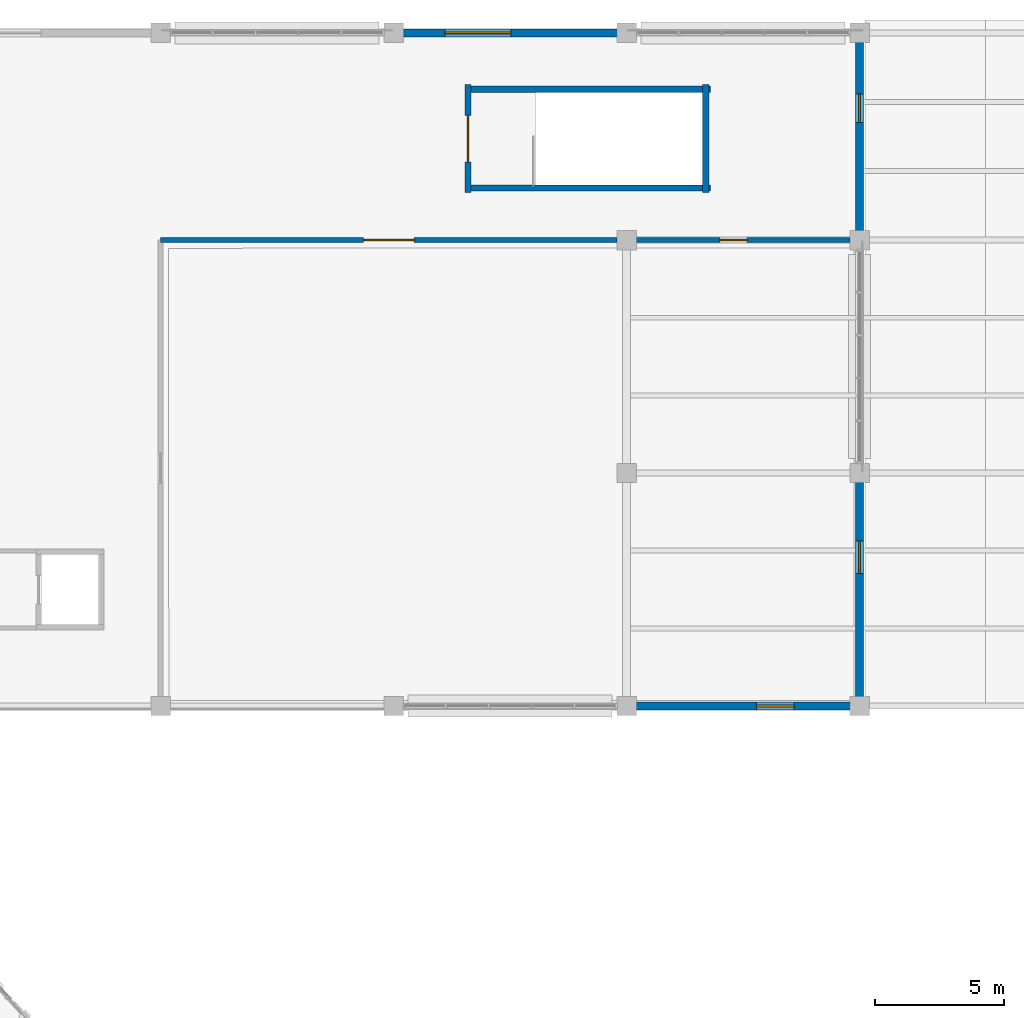
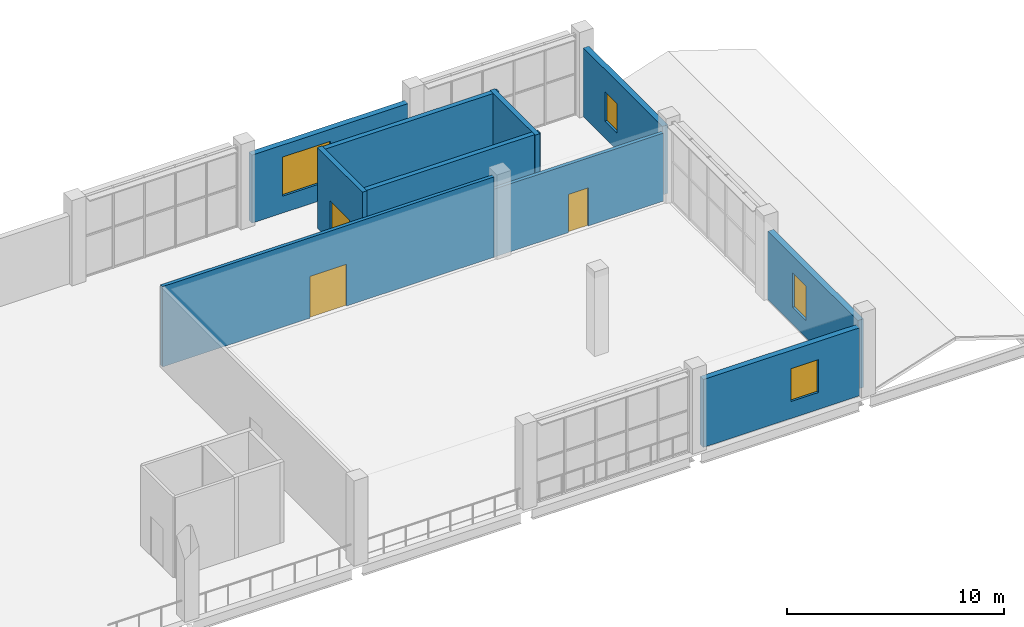
# One storey, part 102 of 152: 10 walls, 4 windows, 3 doors, 7 openings.
"""IFC4 building model written with IfcOpenShell, lengths in metres."""

from ifc_helpers import new_model, si_unit, direction, frame, frame_2d, origin, place, context, subcontext, project, spatial, rectangle, extrude, material, layer, layer_set, type_object, element, fill, save


model = new_model("IFC4")

# Units and contexts
model_context = context("Model", 3, precision=1e-05, world=origin(), true_north=direction((0.0, 1.0)))
body_context = subcontext(model_context, "Body", "Model", "MODEL_VIEW")
ifc_project = project(units=[si_unit("LENGTHUNIT", "METRE"), si_unit("AREAUNIT", "SQUARE_METRE"), si_unit("VOLUMEUNIT", "CUBIC_METRE"), si_unit("PLANEANGLEUNIT", "RADIAN"), si_unit("MASSUNIT", "GRAM", prefix="KILO")], contexts=[model_context])

# Site, building, storey
site_placement = place(None, origin())
site = spatial("IfcSite", under=ifc_project, at=site_placement, CompositionType="ELEMENT")
building_placement = place(site_placement, origin())
building = spatial("IfcBuilding", under=site, at=building_placement, Name="Zevraka Park Crest Stadium", CompositionType="ELEMENT")
storey_placement = place(building_placement, frame((0.0, 0.0, 15.0)))
storey = spatial("IfcBuildingStorey", under=building, at=storey_placement, Name="L03", CompositionType="ELEMENT", Elevation=15.0)

# Wall, opening, window
ifc_material_1 = material(Name="Limestone and red clay brick masonry", Category="masonry")
ifc_layer_1 = layer(ifc_material_1, 0.300048828125)
ifc_layer_set_1 = layer_set([ifc_layer_1], Name="Limestone and red clay brick masonry")
wall_type_1 = type_object("IfcWallType", Name="EW02", PredefinedType="STANDARD", material=ifc_layer_set_1)
wall_1_placement = place(storey_placement, frame((197.35009765625, 184.0, 0.0), z_axis=(0.0, 0.0, 1.0), x_axis=(1.0, 0.0, 0.0)))
wall_1 = element("IfcWall", 1, at=wall_1_placement, inside=storey, type_object=wall_type_1, Name="Wing External Cavity Wall EW02 L03-NGATE-N3-5", PredefinedType="STANDARD", context=body_context, shape_type="SweptSolid", body=[
    extrude(rectangle(XDim=8.2998046875, YDim=0.300048828125, at=frame_2d((4.14990234375, 0.0))), origin(), (0.0, 0.0, 1.0), 3.823486328125),
])
opening_1_placement = place(wall_1_placement, frame((1.6298828125, 0.0, 0.949951171875)))
opening_1 = element("IfcOpeningElement", 2, at=opening_1_placement, cuts=wall_1, Name="Opening WN12", PredefinedType="OPENING", context=body_context, shape_type="SweptSolid", body=[
    extrude(rectangle(XDim=2.550048828125, YDim=2.199951171875, at=frame_2d((1.27490234375, 1.10009765625))), frame((0.0, 0.159912109375, 0.0), z_axis=(0.0, -1.0, 0.0), x_axis=(1.0, 0.0, 0.0)), (0.0, 0.0, 1.0), 0.320068359375),
])
ifc_material_2 = material(Name="Solar-control laminated double glazing in aluminium frame", Category="aluminium")
window_type_1 = type_object("IfcWindowType", Name="WN12", PartitioningType="SINGLE_PANEL", PredefinedType="WINDOW", material=ifc_material_2)
window_1_placement = place(opening_1_placement, origin())
window_1 = element("IfcWindow", 3, at=window_1_placement, inside=storey, type_object=window_type_1, Name="Facade Casement Window WN12 W-L03-012", OverallHeight=2.199951171875, OverallWidth=2.550048828125, PartitioningType="SINGLE_PANEL", PredefinedType="WINDOW", context=body_context, shape_type="SweptSolid", body=[
    extrude(rectangle(XDim=2.550048828125, YDim=2.199951171875, at=frame_2d((1.27490234375, 1.10009765625))), frame((0.0, 0.030029296875, 0.0), z_axis=(0.0, -1.0, 0.0), x_axis=(1.0, 0.0, 0.0)), (0.0, 0.0, 1.0), 0.06005859375),
])
fill(opening_1, window_1)

wall_2_placement = place(storey_placement, frame((215.0, 183.64990234375, 0.0), z_axis=(0.0, 0.0, 1.0), x_axis=(0.0, -1.0, 0.0)))
wall_2 = element("IfcWall", 4, at=wall_2_placement, inside=storey, type_object=wall_type_1, Name="Wing External Cavity Wall EW02 L03-NGATE-E3-1", PredefinedType="STANDARD", context=body_context, shape_type="SweptSolid", body=[
    extrude(rectangle(XDim=7.2998046875, YDim=0.300048828125, at=frame_2d((3.64990234375, 0.0))), origin(), (0.0, 0.0, 1.0), 3.85693359375),
])
opening_2_placement = place(wall_2_placement, frame((2.0048828125, 0.0, 0.949951171875)))
opening_2 = element("IfcOpeningElement", 5, at=opening_2_placement, cuts=wall_2, Name="Opening WN17", PredefinedType="OPENING", context=body_context, shape_type="SweptSolid", body=[
    extrude(rectangle(XDim=1.10009765625, YDim=1.64990234375, at=frame_2d((0.550048828125, 0.824951171875))), frame((0.0, 0.159912109375, 0.0), z_axis=(0.0, -1.0, 0.0), x_axis=(1.0, 0.0, 0.0)), (0.0, 0.0, 1.0), 0.320068359375),
])
ifc_material_3 = material(Name="Solar-control laminated double glazing in aluminium frame", Category="aluminium")
window_type_2 = type_object("IfcWindowType", Name="WN17", PartitioningType="SINGLE_PANEL", PredefinedType="WINDOW", material=ifc_material_3)
window_2_placement = place(opening_2_placement, origin())
window_2 = element("IfcWindow", 6, at=window_2_placement, inside=storey, type_object=window_type_2, Name="Facade Casement Window WN17 W-L03-017", OverallHeight=1.64990234375, OverallWidth=1.10009765625, PartitioningType="SINGLE_PANEL", PredefinedType="WINDOW", context=body_context, shape_type="SweptSolid", body=[
    extrude(rectangle(XDim=1.10009765625, YDim=1.64990234375, at=frame_2d((0.550048828125, 0.824951171875))), frame((0.0, 0.030029296875, 0.0), z_axis=(0.0, -1.0, 0.0), x_axis=(1.0, 0.0, 0.0)), (0.0, 0.0, 1.0), 0.06005859375),
])
fill(opening_2, window_2)

wall_3_placement = place(storey_placement, frame((215.0, 166.64990234375, 0.0), z_axis=(0.0, 0.0, 1.0), x_axis=(0.0, -1.0, 0.0)))
wall_3 = element("IfcWall", 7, at=wall_3_placement, inside=storey, type_object=wall_type_1, Name="Wing External Cavity Wall EW02 L03-NGATE-E3-3", PredefinedType="STANDARD", context=body_context, shape_type="SweptSolid", body=[
    extrude(rectangle(XDim=8.2998046875, YDim=0.300048828125, at=frame_2d((4.14990234375, 0.0))), origin(), (0.0, 0.0, 1.0), 3.85693359375),
])
opening_3_placement = place(wall_3_placement, frame((2.280029296875, 0.0, 0.949951171875)))
opening_3 = element("IfcOpeningElement", 8, at=opening_3_placement, cuts=wall_3, Name="Opening WN18", PredefinedType="OPENING", context=body_context, shape_type="SweptSolid", body=[
    extrude(rectangle(XDim=1.25, YDim=1.949951171875, at=frame_2d((0.625, 0.97509765625))), frame((0.0, 0.159912109375, 0.0), z_axis=(0.0, -1.0, 0.0), x_axis=(1.0, 0.0, 0.0)), (0.0, 0.0, 1.0), 0.320068359375),
])
ifc_material_4 = material(Name="Solar-control laminated double glazing in aluminium frame", Category="aluminium")
window_type_3 = type_object("IfcWindowType", Name="WN18", PartitioningType="SINGLE_PANEL", PredefinedType="WINDOW", material=ifc_material_4)
window_3_placement = place(opening_3_placement, origin())
window_3 = element("IfcWindow", 9, at=window_3_placement, inside=storey, type_object=window_type_3, Name="Facade Casement Window WN18 W-L03-018", OverallHeight=1.949951171875, OverallWidth=1.25, PartitioningType="SINGLE_PANEL", PredefinedType="WINDOW", context=body_context, shape_type="SweptSolid", body=[
    extrude(rectangle(XDim=1.25, YDim=1.949951171875, at=frame_2d((0.625, 0.97509765625))), frame((0.0, 0.030029296875, 0.0), z_axis=(0.0, -1.0, 0.0), x_axis=(1.0, 0.0, 0.0)), (0.0, 0.0, 1.0), 0.06005859375),
])
fill(opening_3, window_3)

wall_4_placement = place(storey_placement, frame((214.64990234375, 158.0, 0.0), z_axis=(0.0, 0.0, 1.0), x_axis=(-1.0, 0.0, 0.0)))
wall_4 = element("IfcWall", 10, at=wall_4_placement, inside=storey, type_object=wall_type_1, Name="Wing External Cavity Wall EW02 L03-NGATE-S3-1", PredefinedType="STANDARD", context=body_context, shape_type="SweptSolid", body=[
    extrude(rectangle(XDim=8.2998046875, YDim=0.300048828125, at=frame_2d((4.14990234375, 0.0))), origin(), (0.0, 0.0, 1.0), 3.823486328125),
])
opening_4_placement = place(wall_4_placement, frame((2.179931640625, 0.0, 0.949951171875)))
opening_4 = element("IfcOpeningElement", 11, at=opening_4_placement, cuts=wall_4, Name="Opening WN26", PredefinedType="OPENING", context=body_context, shape_type="SweptSolid", body=[
    extrude(rectangle(XDim=1.449951171875, YDim=1.85009765625, at=frame_2d((0.72509765625, 0.925048828125))), frame((0.0, 0.159912109375, 0.0), z_axis=(0.0, -1.0, 0.0), x_axis=(1.0, 0.0, 0.0)), (0.0, 0.0, 1.0), 0.320068359375),
])
ifc_material_5 = material(Name="Solar-control laminated double glazing in aluminium frame", Category="aluminium")
window_type_4 = type_object("IfcWindowType", Name="WN26", PartitioningType="SINGLE_PANEL", PredefinedType="WINDOW", material=ifc_material_5)
window_4_placement = place(opening_4_placement, origin())
window_4 = element("IfcWindow", 12, at=window_4_placement, inside=storey, type_object=window_type_4, Name="Facade Casement Window WN26 W-L03-026", OverallHeight=1.85009765625, OverallWidth=1.449951171875, PartitioningType="SINGLE_PANEL", PredefinedType="WINDOW", context=body_context, shape_type="SweptSolid", body=[
    extrude(rectangle(XDim=1.449951171875, YDim=1.85009765625, at=frame_2d((0.72509765625, 0.925048828125))), frame((0.0, 0.030029296875, 0.0), z_axis=(0.0, -1.0, 0.0), x_axis=(1.0, 0.0, 0.0)), (0.0, 0.0, 1.0), 0.06005859375),
])
fill(opening_4, window_4)

# Wall, opening, door
ifc_material_6 = material(Name="Fire-rated twin-stud acoustic drywall", Category="other")
ifc_layer_2 = layer(ifc_material_6, 0.179931640625)
ifc_layer_set_2 = layer_set([ifc_layer_2], Name="Fire-rated twin-stud acoustic drywall")
wall_type_2 = type_object("IfcWallType", Name="IW06", PredefinedType="PARTITIONING", material=ifc_layer_set_2)
wall_5_placement = place(storey_placement, frame((188.0, 176.0, 0.0), z_axis=(0.0, 0.0, 1.0), x_axis=(1.0, 0.0, 0.0)))
wall_5 = element("IfcWall", 13, at=wall_5_placement, inside=storey, type_object=wall_type_2, Name="Interior Partition IW06 North Gate Upper Supporters Terrace Lounge L03", PredefinedType="PARTITIONING", context=body_context, shape_type="SweptSolid", body=[
    extrude(rectangle(XDim=17.639892578125, YDim=0.179931640625, at=frame_2d((8.81982421875, 0.0))), origin(), (0.0, 0.0, 1.0), 4.52001953125),
])
opening_5_placement = place(wall_5_placement, frame((7.844970703125, 0.0, 0.0)))
opening_5 = element("IfcOpeningElement", 14, at=opening_5_placement, cuts=wall_5, Name="Opening D-L03-451", PredefinedType="OPENING", context=body_context, shape_type="SweptSolid", body=[
    extrude(rectangle(XDim=1.949951171875, YDim=2.35009765625, at=frame_2d((0.97509765625, 1.175048828125))), frame((0.0, 0.099853515625, 0.0), z_axis=(0.0, -1.0, 0.0), x_axis=(1.0, 0.0, 0.0)), (0.0, 0.0, 1.0), 0.199951171875),
])
ifc_material_7 = material(Name="Solid-core hardwood timber leaf in steel frame", Category="steel")
door_type_1 = type_object("IfcDoorType", Name="DR28", OperationType="NOTDEFINED", PredefinedType="DOOR", material=ifc_material_7)
door_1_placement = place(opening_5_placement, origin())
door_1 = element("IfcDoor", 15, at=door_1_placement, inside=storey, type_object=door_type_1, Name="North Gate Upper Supporters Terrace Lounge Door D-L03-451", OperationType="DOUBLE_DOOR_SINGLE_SWING", OverallHeight=2.35009765625, OverallWidth=1.949951171875, PredefinedType="DOOR", context=body_context, shape_type="SweptSolid", body=[
    extrude(rectangle(XDim=1.949951171875, YDim=2.35009765625, at=frame_2d((0.97509765625, 1.175048828125))), frame((0.0, 0.02490234375, 0.0), z_axis=(0.0, -1.0, 0.0), x_axis=(1.0, 0.0, 0.0)), (0.0, 0.0, 1.0), 0.050048828125),
])
fill(opening_5, door_1)

wall_6_placement = place(storey_placement, frame((205.625, 176.0, 0.0), z_axis=(0.0, 0.0, 1.0), x_axis=(1.0, 0.0, 0.0)))
wall_6 = element("IfcWall", 16, at=wall_6_placement, inside=storey, type_object=wall_type_2, Name="Interior Partition IW06 North Gate Upper Supporters Terrace Lounge L03", PredefinedType="PARTITIONING", context=body_context, shape_type="SweptSolid", body=[
    extrude(rectangle(XDim=9.014892578125, YDim=0.179931640625, at=frame_2d((4.50732421875, 0.0))), origin(), (0.0, 0.0, 1.0), 3.823486328125),
])
opening_6_placement = place(wall_6_placement, frame((3.98193359375, 0.0, 0.0)))
opening_6 = element("IfcOpeningElement", 17, at=opening_6_placement, cuts=wall_6, Name="Opening D-L03-452", PredefinedType="OPENING", context=body_context, shape_type="SweptSolid", body=[
    extrude(rectangle(XDim=1.050048828125, YDim=2.14990234375, at=frame_2d((0.52490234375, 1.074951171875))), frame((0.0, 0.099853515625, 0.0), z_axis=(0.0, -1.0, 0.0), x_axis=(1.0, 0.0, 0.0)), (0.0, 0.0, 1.0), 0.199951171875),
])
ifc_material_8 = material(Name="Solid-core hardwood timber leaf in steel frame", Category="steel")
door_type_2 = type_object("IfcDoorType", Name="DR02", OperationType="NOTDEFINED", PredefinedType="DOOR", material=ifc_material_8)
door_2_placement = place(opening_6_placement, origin())
door_2 = element("IfcDoor", 18, at=door_2_placement, inside=storey, type_object=door_type_2, Name="North Gate Upper Supporters Terrace Lounge Door D-L03-452", OperationType="SINGLE_SWING_LEFT", OverallHeight=2.14990234375, OverallWidth=1.050048828125, PredefinedType="DOOR", context=body_context, shape_type="SweptSolid", body=[
    extrude(rectangle(XDim=1.050048828125, YDim=2.14990234375, at=frame_2d((0.52490234375, 1.074951171875))), frame((0.0, 0.02490234375, 0.0), z_axis=(0.0, -1.0, 0.0), x_axis=(1.0, 0.0, 0.0)), (0.0, 0.0, 1.0), 0.050048828125),
])
fill(opening_6, door_2)

# Walls
ifc_material_9 = material(Name="Concrete C40/50", Category="concrete")
ifc_layer_3 = layer(ifc_material_9, 0.25)
ifc_layer_set_3 = layer_set([ifc_layer_3], Name="Concrete C40/50")
wall_type_3 = type_object("IfcWallType", Name="SW01", PredefinedType="SHEAR", material=ifc_layer_set_3)
for number, where, z_axis, x_axis, name in (
    (19, (199.75, 178.010009765625, 0.0), (0.0, 0.0, 1.0), (1.0, 0.0, 0.0), "Stair Core Shear Wall SW01 ST45 L03 left"),
    (20, (209.25, 181.830078125, 0.0), (0.0, 0.0, 1.0), (-1.0, 0.0, 0.0), "Stair Core Shear Wall SW01 ST45 L03 right"),
):
    element("IfcWall", number, at=place(storey_placement, frame(where, z_axis=z_axis, x_axis=x_axis)), inside=storey, type_object=wall_type_3, Name=name, PredefinedType="SHEAR", context=body_context, shape_type="SweptSolid", body=[
        extrude(rectangle(XDim=9.5, YDim=0.25, at=frame_2d((4.75, 0.0))), origin(), (0.0, 0.0, 1.0), 4.5400390625),
    ])

# Wall, opening, door
wall_7_placement = place(storey_placement, frame((199.875, 182.0, 0.0), z_axis=(0.0, 0.0, 1.0), x_axis=(0.0, -1.0, 0.0)))
wall_7 = element("IfcWall", 21, at=wall_7_placement, inside=storey, type_object=wall_type_3, Name="Stair Core Shear Wall SW01 ST45 L03 near", PredefinedType="SHEAR", context=body_context, shape_type="SweptSolid", body=[
    extrude(rectangle(XDim=4.159912109375, YDim=0.25, at=frame_2d((2.080078125, 0.0))), origin(), (0.0, 0.0, 1.0), 4.5400390625),
])
opening_7_placement = place(wall_7_placement, frame((1.179931640625, 0.0, 0.0)))
opening_7 = element("IfcOpeningElement", 22, at=opening_7_placement, cuts=wall_7, Name="Opening D-L03-237", PredefinedType="OPENING", context=body_context, shape_type="SweptSolid", body=[
    extrude(rectangle(XDim=1.800048828125, YDim=2.25, at=frame_2d((0.89990234375, 1.125))), frame((0.0, 0.135009765625, 0.0), z_axis=(0.0, -1.0, 0.0), x_axis=(1.0, 0.0, 0.0)), (0.0, 0.0, 1.0), 0.27001953125),
])
ifc_material_10 = material(Name="Solid-core hardwood timber leaf in steel frame", Category="steel")
door_type_3 = type_object("IfcDoorType", Name="DR04", OperationType="NOTDEFINED", PredefinedType="DOOR", material=ifc_material_10)
door_3_placement = place(opening_7_placement, origin())
door_3 = element("IfcDoor", 23, at=door_3_placement, inside=storey, type_object=door_type_3, Name="Protected Stair Entry Door ST45 L03", OperationType="DOUBLE_DOOR_SINGLE_SWING", OverallHeight=2.25, OverallWidth=1.800048828125, PredefinedType="DOOR", context=body_context, shape_type="SweptSolid", body=[
    extrude(rectangle(XDim=1.800048828125, YDim=2.25, at=frame_2d((0.89990234375, 1.125))), frame((0.0, 0.02490234375, 0.0), z_axis=(0.0, -1.0, 0.0), x_axis=(1.0, 0.0, 0.0)), (0.0, 0.0, 1.0), 0.050048828125),
])
fill(opening_7, door_3)

# Wall
wall_8_placement = place(storey_placement, frame((209.06494140625, 177.840087890625, 0.0), z_axis=(0.0, 0.0, 1.0), x_axis=(0.0, 1.0, 0.0)))
element("IfcWall", 24, at=wall_8_placement, inside=storey, type_object=wall_type_3, Name="Stair Core Shear Wall SW01 ST45 L03 far", PredefinedType="SHEAR", context=body_context, shape_type="SweptSolid", body=[
    extrude(rectangle(XDim=4.159912109375, YDim=0.25, at=frame_2d((2.080078125, 0.0))), origin(), (0.0, 0.0, 1.0), 4.5400390625),
])

save(model, "model.ifc")
